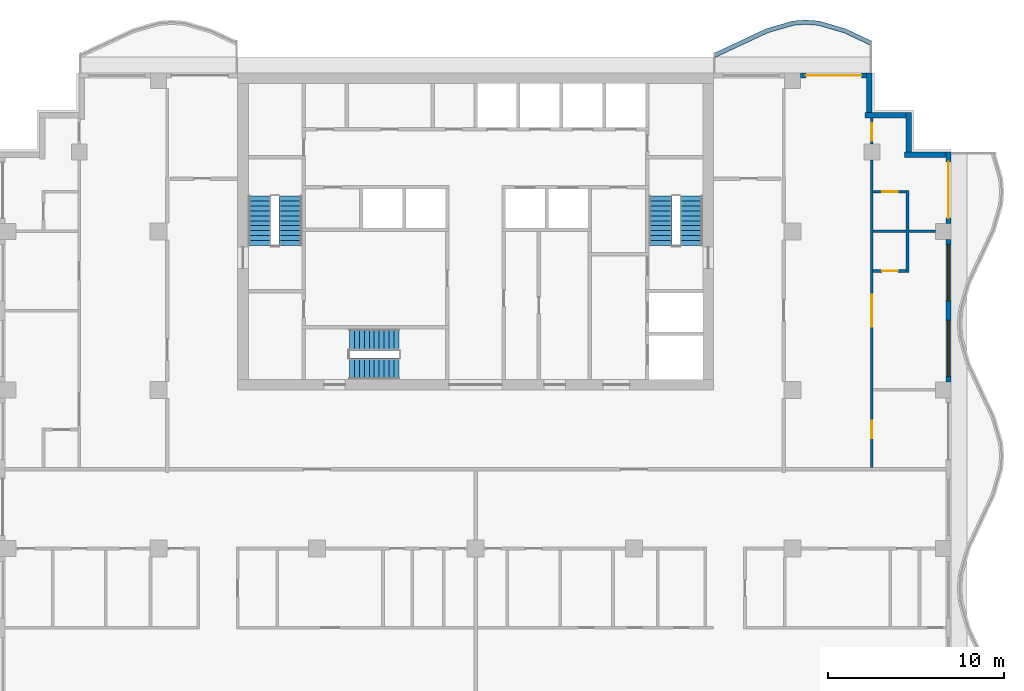
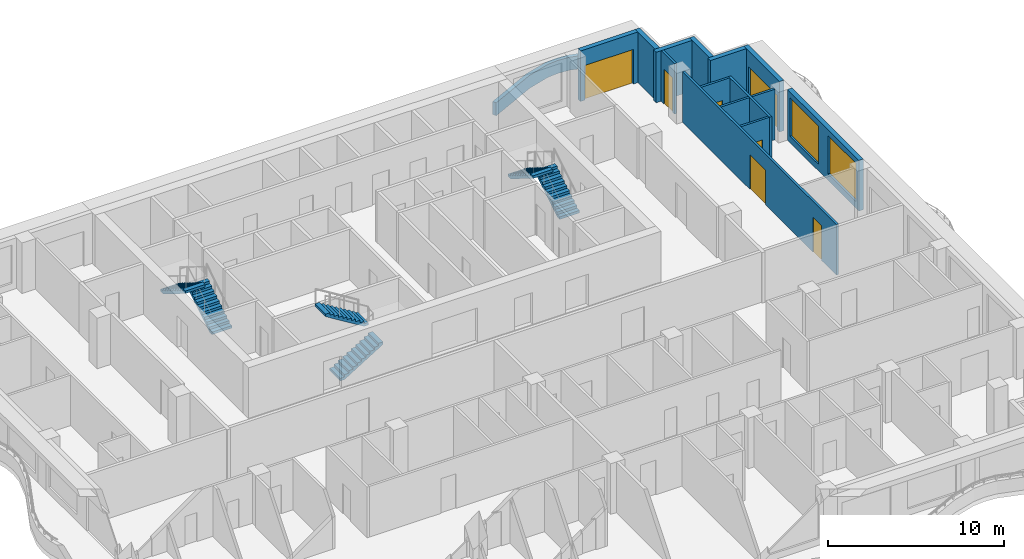
# One storey, part 7 of 11: 15 walls, 7 doors, 6 stair flights, 2 windows, 9 openings, 3 elements without a shape of their own.
"""IFC4 building model written with IfcOpenShell, lengths in metres."""

from ifc_helpers import new_model, si_unit, direction, frame, frame_2d, origin, place, context, subcontext, project, spatial, polyline, rectangle, outline, extrude, material, layer, layer_set, type_object, element, fill, aggregate, save


model = new_model("IFC4")

# Units and contexts
model_context = context("Model", 3, precision=1e-05, world=origin(), true_north=direction((0.0, 1.0)))
body_context = subcontext(model_context, "Body", "Model", "MODEL_VIEW")
ifc_project = project(units=[si_unit("LENGTHUNIT", "METRE"), si_unit("AREAUNIT", "SQUARE_METRE"), si_unit("VOLUMEUNIT", "CUBIC_METRE"), si_unit("PLANEANGLEUNIT", "RADIAN"), si_unit("MASSUNIT", "GRAM", prefix="KILO")], contexts=[model_context])

# Site, building, storey
site_placement = place(None, origin())
site = spatial("IfcSite", under=ifc_project, at=site_placement, CompositionType="ELEMENT")
building_placement = place(site_placement, origin())
building = spatial("IfcBuilding", under=site, at=building_placement, Name="Orbiselva Terraces", CompositionType="ELEMENT")
storey_placement = place(building_placement, frame((0.0, 0.0, 273.0)))
storey = spatial("IfcBuildingStorey", under=building, at=storey_placement, Name="L69", CompositionType="ELEMENT", Elevation=273.0)

# Wall
ifc_material_1 = material(Name="Concrete C40/50", Category="concrete")
ifc_layer_1 = layer(ifc_material_1, 0.25)
ifc_layer_set_1 = layer_set([ifc_layer_1], Name="Concrete C40/50")
wall_type_1 = type_object("IfcWallType", Name="ENV-PLANTER-250x900", PredefinedType="USERDEFINED", material=ifc_layer_set_1)
wall_1_placement = place(storey_placement, origin())
element("IfcWall", 1, at=wall_1_placement, inside=storey, type_object=wall_type_1, Name="Balcony planter L69 NE", ObjectType="PLANTER", PredefinedType="USERDEFINED", context=body_context, shape_type="SweptSolid", body=[
    extrude(outline(polyline([(22.5, 24.3), (21.0, 25.005342), (19.5, 25.441268), (18.75, 25.5), (18.0, 25.441268), (16.5, 25.005342), (15.0, 24.3), (13.5, 23.594658), (13.606383, 23.368422), (15.106383, 24.073764), (16.588618, 24.770753), (18.045114, 25.194035), (18.75, 25.249235), (19.454886, 25.194035), (20.911382, 24.770753), (22.393617, 24.073764), (22.5, 24.3)])), origin(), (0.0, 0.0, 1.0), 0.9),
])

# Wall, openings, windows
ifc_material_2 = material(Name="Terracotta cladding on masonry backing", Category="masonry")
ifc_layer_2 = layer(ifc_material_2, 0.3)
ifc_layer_set_2 = layer_set([ifc_layer_2], Name="Terracotta cladding on masonry backing")
wall_type_2 = type_object("IfcWallType", Name="ENV-WALL-TERRACOTTA-300", PredefinedType="SOLIDWALL", material=ifc_layer_set_2)
wall_2_placement = place(storey_placement, frame((26.85, 13.05, 0.0), z_axis=(0.0, 0.0, 1.0), x_axis=(0.0, -1.0, 0.0)))
wall_2 = element("IfcWall", 2, at=wall_2_placement, inside=storey, type_object=wall_type_2, Name="Facade wall L69 E", PredefinedType="SOLIDWALL", context=body_context, shape_type="SweptSolid", body=[
    extrude(rectangle(XDim=8.1, YDim=0.3, at=frame_2d((4.05, 0.0))), origin(), (0.0, 0.0, 1.0), 3.5),
])
opening_1_placement = place(wall_2_placement, frame((4.6, 0.0, 0.45)))
opening_1 = element("IfcOpeningElement", 3, at=opening_1_placement, cuts=wall_2, Name="Opening WN17", PredefinedType="OPENING", context=body_context, shape_type="SweptSolid", body=[
    extrude(rectangle(XDim=3.2, YDim=2.65, at=frame_2d((1.6, 1.325))), frame((0.0, 0.16, 0.0), z_axis=(0.0, -1.0, 0.0), x_axis=(1.0, 0.0, 0.0)), (0.0, 0.0, 1.0), 0.32),
])
opening_2_placement = place(wall_2_placement, frame((0.3, 0.0, 0.45)))
opening_2 = element("IfcOpeningElement", 4, at=opening_2_placement, cuts=wall_2, Name="Opening WN17", PredefinedType="OPENING", context=body_context, shape_type="SweptSolid", body=[
    extrude(rectangle(XDim=3.2, YDim=2.65, at=frame_2d((1.6, 1.325))), frame((0.0, 0.16, 0.0), z_axis=(0.0, -1.0, 0.0), x_axis=(1.0, 0.0, 0.0)), (0.0, 0.0, 1.0), 0.32),
])
ifc_material_3 = material(Name="Clear low-e glazing in aluminium frame", Category="aluminium")
window_type = type_object("IfcWindowType", Name="WINDOW 3200 X 2650 S450", PartitioningType="TRIPLE_PANEL_VERTICAL", PredefinedType="WINDOW", material=ifc_material_3)
window_1_placement = place(opening_1_placement, origin())
window_1 = element("IfcWindow", 5, at=window_1_placement, inside=storey, type_object=window_type, Name="Window L69 E", OverallHeight=2.65, OverallWidth=3.2, PartitioningType="SINGLE_PANEL", PredefinedType="WINDOW", context=body_context, shape_type="SweptSolid", body=[
    extrude(rectangle(XDim=3.2, YDim=2.65, at=frame_2d((1.6, 1.325))), frame((0.0, 0.03, 0.0), z_axis=(0.0, -1.0, 0.0), x_axis=(1.0, 0.0, 0.0)), (0.0, 0.0, 1.0), 0.06),
])
fill(opening_1, window_1)
window_2_placement = place(opening_2_placement, origin())
window_2 = element("IfcWindow", 6, at=window_2_placement, inside=storey, type_object=window_type, Name="Window L69 E", OverallHeight=2.65, OverallWidth=3.2, PartitioningType="SINGLE_PANEL", PredefinedType="WINDOW", context=body_context, shape_type="SweptSolid", body=[
    extrude(rectangle(XDim=3.2, YDim=2.65, at=frame_2d((1.6, 1.325))), frame((0.0, 0.03, 0.0), z_axis=(0.0, -1.0, 0.0), x_axis=(1.0, 0.0, 0.0)), (0.0, 0.0, 1.0), 0.06),
])
fill(opening_2, window_2)

# Wall, opening, door
wall_3_placement = place(storey_placement, frame((26.85, 18.0, 0.0), z_axis=(0.0, 0.0, 1.0), x_axis=(0.0, -1.0, 0.0)))
wall_3 = element("IfcWall", 7, at=wall_3_placement, inside=storey, type_object=wall_type_2, Name="Facade wall L69 E", PredefinedType="SOLIDWALL", context=body_context, shape_type="SweptSolid", body=[
    extrude(rectangle(XDim=4.05, YDim=0.3, at=frame_2d((2.025, 0.0))), origin(), (0.0, 0.0, 1.0), 3.5),
])
opening_3_placement = place(wall_3_placement, frame((0.55, 0.0, 0.0)))
opening_3 = element("IfcOpeningElement", 8, at=opening_3_placement, cuts=wall_3, Name="Opening Z5-D-E06", PredefinedType="OPENING", context=body_context, shape_type="SweptSolid", body=[
    extrude(rectangle(XDim=3.2, YDim=2.4, at=frame_2d((1.6, 1.2))), frame((0.0, 0.16, 0.0), z_axis=(0.0, -1.0, 0.0), x_axis=(1.0, 0.0, 0.0)), (0.0, 0.0, 1.0), 0.32),
])
door_type_1 = type_object("IfcDoorType", Name="BALCONY DOOR 3200 X 2400", OperationType="DOUBLE_DOOR_SLIDING", PredefinedType="DOOR", material=ifc_material_3)
door_1_placement = place(opening_3_placement, origin())
door_1 = element("IfcDoor", 9, at=door_1_placement, inside=storey, type_object=door_type_1, Name="Z5-D-E06", OperationType="SINGLE_SWING_LEFT", OverallHeight=2.4, OverallWidth=3.2, PredefinedType="DOOR", context=body_context, shape_type="SweptSolid", body=[
    extrude(rectangle(XDim=3.2, YDim=2.4, at=frame_2d((1.6, 1.2))), frame((0.0, 0.025, 0.0), z_axis=(0.0, -1.0, 0.0), x_axis=(1.0, 0.0, 0.0)), (0.0, 0.0, 1.0), 0.05),
])
fill(opening_3, door_1)

# Walls
wall_4_placement = place(storey_placement, frame((24.35, 17.85, 0.0), z_axis=(0.0, 0.0, 1.0), x_axis=(1.0, 0.0, 0.0)))
element("IfcWall", 10, at=wall_4_placement, inside=storey, type_object=wall_type_2, Name="Facade wall L69 STEP", PredefinedType="SOLIDWALL", context=body_context, shape_type="SweptSolid", body=[
    extrude(rectangle(XDim=2.35, YDim=0.3, at=frame_2d((1.175, 0.0))), origin(), (0.0, 0.0, 1.0), 3.5),
])
wall_5_placement = place(storey_placement, frame((24.6, 20.25, 0.0), z_axis=(0.0, 0.0, 1.0), x_axis=(0.0, -1.0, 0.0)))
element("IfcWall", 11, at=wall_5_placement, inside=storey, type_object=wall_type_2, Name="Facade wall L69 STEP", PredefinedType="SOLIDWALL", context=body_context, shape_type="SweptSolid", body=[
    extrude(rectangle(XDim=2.25, YDim=0.3, at=frame_2d((1.125, 0.0))), origin(), (0.0, 0.0, 1.0), 3.5),
])
wall_6_placement = place(storey_placement, frame((22.1, 20.1, 0.0), z_axis=(0.0, 0.0, 1.0), x_axis=(1.0, 0.0, 0.0)))
element("IfcWall", 12, at=wall_6_placement, inside=storey, type_object=wall_type_2, Name="Facade wall L69 STEP", PredefinedType="SOLIDWALL", context=body_context, shape_type="SweptSolid", body=[
    extrude(rectangle(XDim=2.35, YDim=0.3, at=frame_2d((1.175, 0.0))), origin(), (0.0, 0.0, 1.0), 3.5),
])
wall_7_placement = place(storey_placement, frame((22.35, 22.5, 0.0), z_axis=(0.0, 0.0, 1.0), x_axis=(0.0, -1.0, 0.0)))
element("IfcWall", 13, at=wall_7_placement, inside=storey, type_object=wall_type_2, Name="Facade wall L69 STEP", PredefinedType="SOLIDWALL", context=body_context, shape_type="SweptSolid", body=[
    extrude(rectangle(XDim=2.25, YDim=0.3, at=frame_2d((1.125, 0.0))), origin(), (0.0, 0.0, 1.0), 3.5),
])

# Wall, opening, door
wall_8_placement = place(storey_placement, frame((18.45, 22.35, 0.0), z_axis=(0.0, 0.0, 1.0), x_axis=(1.0, 0.0, 0.0)))
wall_8 = element("IfcWall", 14, at=wall_8_placement, inside=storey, type_object=wall_type_2, Name="Facade wall L69 NE", PredefinedType="SOLIDWALL", context=body_context, shape_type="SweptSolid", body=[
    extrude(rectangle(XDim=3.75, YDim=0.3, at=frame_2d((1.875, 0.0))), origin(), (0.0, 0.0, 1.0), 3.5),
])
opening_4_placement = place(wall_8_placement, frame((0.3, 0.0, 0.0)))
opening_4 = element("IfcOpeningElement", 15, at=opening_4_placement, cuts=wall_8, Name="Opening Z5-D-E07", PredefinedType="OPENING", context=body_context, shape_type="SweptSolid", body=[
    extrude(rectangle(XDim=3.15, YDim=2.4, at=frame_2d((1.575, 1.2))), frame((0.0, 0.16, 0.0), z_axis=(0.0, -1.0, 0.0), x_axis=(1.0, 0.0, 0.0)), (0.0, 0.0, 1.0), 0.32),
])
door_type_2 = type_object("IfcDoorType", Name="BALCONY DOOR 3150 X 2400", OperationType="DOUBLE_DOOR_SLIDING", PredefinedType="DOOR", material=ifc_material_3)
door_2_placement = place(opening_4_placement, origin())
door_2 = element("IfcDoor", 16, at=door_2_placement, inside=storey, type_object=door_type_2, Name="Z5-D-E07", OperationType="SINGLE_SWING_LEFT", OverallHeight=2.4, OverallWidth=3.15, PredefinedType="DOOR", context=body_context, shape_type="SweptSolid", body=[
    extrude(rectangle(XDim=3.15, YDim=2.4, at=frame_2d((1.575, 1.2))), frame((0.0, 0.025, 0.0), z_axis=(0.0, -1.0, 0.0), x_axis=(1.0, 0.0, 0.0)), (0.0, 0.0, 1.0), 0.05),
])
fill(opening_4, door_2)

ifc_material_4 = material(Name="Plasterboard on steel stud partition", Category="steel")
ifc_layer_3 = layer(ifc_material_4, 0.15)
ifc_layer_set_3 = layer_set([ifc_layer_3], Name="Plasterboard on steel stud partition")
wall_type_3 = type_object("IfcWallType", Name="UNIT-PARTITION-150", PredefinedType="PARTITIONING", material=ifc_layer_set_3)
wall_9_placement = place(storey_placement, frame((22.575, 11.25, 0.0), z_axis=(0.0, 0.0, 1.0), x_axis=(1.0, 0.0, 0.0)))
wall_9 = element("IfcWall", 17, at=wall_9_placement, inside=storey, type_object=wall_type_3, Name="PARTITION L69-033", PredefinedType="PARTITIONING", context=body_context, shape_type="SweptSolid", body=[
    extrude(rectangle(XDim=1.875, YDim=0.15, at=frame_2d((0.9375, 0.0))), origin(), (0.0, 0.0, 1.0), 3.5),
])
opening_5_placement = place(wall_9_placement, frame((0.5, 0.0, 0.0)))
opening_5 = element("IfcOpeningElement", 18, at=opening_5_placement, cuts=wall_9, Name="Opening Z5-D-12", PredefinedType="OPENING", context=body_context, shape_type="SweptSolid", body=[
    extrude(rectangle(XDim=0.9, YDim=2.1, at=frame_2d((0.45, 1.05))), frame((0.0, 0.085, 0.0), z_axis=(0.0, -1.0, 0.0), x_axis=(1.0, 0.0, 0.0)), (0.0, 0.0, 1.0), 0.17),
])
ifc_material_5 = material(Name="Painted timber door leaf", Category="wood")
door_type_3 = type_object("IfcDoorType", Name="BATH DOOR 900", OperationType="NOTDEFINED", PredefinedType="DOOR", material=ifc_material_5)
door_3_placement = place(opening_5_placement, origin())
door_3 = element("IfcDoor", 19, at=door_3_placement, inside=storey, type_object=door_type_3, Name="Z5-D-12", OperationType="SINGLE_SWING_RIGHT", OverallHeight=2.1, OverallWidth=0.9, PredefinedType="DOOR", context=body_context, shape_type="SweptSolid", body=[
    extrude(rectangle(XDim=0.9, YDim=2.1, at=frame_2d((0.45, 1.05))), frame((0.0, 0.025, 0.0), z_axis=(0.0, -1.0, 0.0), x_axis=(1.0, 0.0, 0.0)), (0.0, 0.0, 1.0), 0.05),
])
fill(opening_5, door_3)

# Walls
wall_10_placement = place(storey_placement, frame((22.575, 13.5, 0.0), z_axis=(0.0, 0.0, 1.0), x_axis=(1.0, 0.0, 0.0)))
element("IfcWall", 20, at=wall_10_placement, inside=storey, type_object=wall_type_3, Name="PARTITION L69-035", PredefinedType="PARTITIONING", context=body_context, shape_type="SweptSolid", body=[
    extrude(rectangle(XDim=1.875, YDim=0.15, at=frame_2d((0.9375, 0.0))), origin(), (0.0, 0.0, 1.0), 3.5),
])
wall_11_placement = place(storey_placement, frame((24.6, 13.5, 0.0), z_axis=(0.0, 0.0, 1.0), x_axis=(1.0, 0.0, 0.0)))
element("IfcWall", 21, at=wall_11_placement, inside=storey, type_object=wall_type_3, Name="PARTITION L69-036", PredefinedType="PARTITIONING", context=body_context, shape_type="SweptSolid", body=[
    extrude(rectangle(XDim=1.5, YDim=0.15, at=frame_2d((0.75, 0.0))), origin(), (0.0, 0.0, 1.0), 3.5),
])

# Wall, opening, door
wall_12_placement = place(storey_placement, frame((24.45, 15.75, 0.0), z_axis=(0.0, 0.0, 1.0), x_axis=(-1.0, 0.0, 0.0)))
wall_12 = element("IfcWall", 22, at=wall_12_placement, inside=storey, type_object=wall_type_3, Name="PARTITION L69-038", PredefinedType="PARTITIONING", context=body_context, shape_type="SweptSolid", body=[
    extrude(rectangle(XDim=1.875, YDim=0.15, at=frame_2d((0.9375, 0.0))), origin(), (0.0, 0.0, 1.0), 3.5),
])
opening_6_placement = place(wall_12_placement, frame((0.475, 0.0, 0.0)))
opening_6 = element("IfcOpeningElement", 23, at=opening_6_placement, cuts=wall_12, Name="Opening Z5-D-14", PredefinedType="OPENING", context=body_context, shape_type="SweptSolid", body=[
    extrude(rectangle(XDim=0.9, YDim=2.1, at=frame_2d((0.45, 1.05))), frame((0.0, 0.085, 0.0), z_axis=(0.0, -1.0, 0.0), x_axis=(1.0, 0.0, 0.0)), (0.0, 0.0, 1.0), 0.17),
])
door_4_placement = place(opening_6_placement, origin())
door_4 = element("IfcDoor", 24, at=door_4_placement, inside=storey, type_object=door_type_3, Name="Z5-D-14", OperationType="SINGLE_SWING_LEFT", OverallHeight=2.1, OverallWidth=0.9, PredefinedType="DOOR", context=body_context, shape_type="SweptSolid", body=[
    extrude(rectangle(XDim=0.9, YDim=2.1, at=frame_2d((0.45, 1.05))), frame((0.0, 0.025, 0.0), z_axis=(0.0, -1.0, 0.0), x_axis=(1.0, 0.0, 0.0)), (0.0, 0.0, 1.0), 0.05),
])
fill(opening_6, door_4)

# Wall, openings, doors
wall_13_placement = place(storey_placement, frame((22.5, 17.55, 0.0), z_axis=(0.0, 0.0, 1.0), x_axis=(0.0, -1.0, 0.0)))
wall_13 = element("IfcWall", 25, at=wall_13_placement, inside=storey, type_object=wall_type_3, Name="PARTITION L69-088", PredefinedType="PARTITIONING", context=body_context, shape_type="SweptSolid", body=[
    extrude(rectangle(XDim=17.45, YDim=0.15, at=frame_2d((8.725, 0.0))), origin(), (0.0, 0.0, 1.0), 3.5),
])
opening_7_placement = place(wall_13_placement, frame((14.8, 0.0, 0.0)))
opening_7 = element("IfcOpeningElement", 26, at=opening_7_placement, cuts=wall_13, Name="Opening Z5-D-10", PredefinedType="OPENING", context=body_context, shape_type="SweptSolid", body=[
    extrude(rectangle(XDim=1.0, YDim=2.4, at=frame_2d((0.5, 1.2))), frame((0.0, 0.085, 0.0), z_axis=(0.0, -1.0, 0.0), x_axis=(1.0, 0.0, 0.0)), (0.0, 0.0, 1.0), 0.17),
])
opening_8_placement = place(wall_13_placement, frame((7.65, 0.0, 0.0)))
opening_8 = element("IfcOpeningElement", 27, at=opening_8_placement, cuts=wall_13, Name="Opening Z5-D-11", PredefinedType="OPENING", context=body_context, shape_type="SweptSolid", body=[
    extrude(rectangle(XDim=1.8, YDim=2.4, at=frame_2d((0.9, 1.2))), frame((0.0, 0.085, 0.0), z_axis=(0.0, -1.0, 0.0), x_axis=(1.0, 0.0, 0.0)), (0.0, 0.0, 1.0), 0.17),
])
door_type_4 = type_object("IfcDoorType", Name="DOUBLE DOOR 1800", OperationType="NOTDEFINED", PredefinedType="DOOR", material=ifc_material_5)
door_5_placement = place(opening_8_placement, origin())
door_5 = element("IfcDoor", 28, at=door_5_placement, inside=storey, type_object=door_type_4, Name="Z5-D-11", OperationType="DOUBLE_DOOR_SINGLE_SWING", OverallHeight=2.4, OverallWidth=1.8, PredefinedType="DOOR", context=body_context, shape_type="SweptSolid", body=[
    extrude(rectangle(XDim=1.8, YDim=2.4, at=frame_2d((0.9, 1.2))), frame((0.0, 0.025, 0.0), z_axis=(0.0, -1.0, 0.0), x_axis=(1.0, 0.0, 0.0)), (0.0, 0.0, 1.0), 0.05),
])
fill(opening_8, door_5)
door_type_5 = type_object("IfcDoorType", Name="ROOM DOOR 1000", OperationType="NOTDEFINED", PredefinedType="DOOR", material=ifc_material_5)
door_6_placement = place(opening_7_placement, origin())
door_6 = element("IfcDoor", 29, at=door_6_placement, inside=storey, type_object=door_type_5, Name="Z5-D-10", OperationType="SINGLE_SWING_RIGHT", OverallHeight=2.4, OverallWidth=1.0, PredefinedType="DOOR", context=body_context, shape_type="SweptSolid", body=[
    extrude(rectangle(XDim=1.0, YDim=2.4, at=frame_2d((0.5, 1.2))), frame((0.0, 0.025, 0.0), z_axis=(0.0, -1.0, 0.0), x_axis=(1.0, 0.0, 0.0)), (0.0, 0.0, 1.0), 0.05),
])
fill(opening_7, door_6)

# Wall, opening, door
wall_14_placement = place(storey_placement, frame((22.5, 19.95, 0.0), z_axis=(0.0, 0.0, 1.0), x_axis=(0.0, -1.0, 0.0)))
wall_14 = element("IfcWall", 30, at=wall_14_placement, inside=storey, type_object=wall_type_3, Name="PARTITION L69-089", PredefinedType="PARTITIONING", context=body_context, shape_type="SweptSolid", body=[
    extrude(rectangle(XDim=1.5, YDim=0.15, at=frame_2d((0.75, 0.0))), origin(), (0.0, 0.0, 1.0), 3.5),
])
opening_9_placement = place(wall_14_placement, frame((0.3, 0.0, 0.0)))
opening_9 = element("IfcOpeningElement", 31, at=opening_9_placement, cuts=wall_14, Name="Opening Z5-D-13", PredefinedType="OPENING", context=body_context, shape_type="SweptSolid", body=[
    extrude(rectangle(XDim=1.0, YDim=2.4, at=frame_2d((0.5, 1.2))), frame((0.0, 0.085, 0.0), z_axis=(0.0, -1.0, 0.0), x_axis=(1.0, 0.0, 0.0)), (0.0, 0.0, 1.0), 0.17),
])
door_7_placement = place(opening_9_placement, origin())
door_7 = element("IfcDoor", 32, at=door_7_placement, inside=storey, type_object=door_type_5, Name="Z5-D-13", OperationType="SINGLE_SWING_RIGHT", OverallHeight=2.4, OverallWidth=1.0, PredefinedType="DOOR", context=body_context, shape_type="SweptSolid", body=[
    extrude(rectangle(XDim=1.0, YDim=2.4, at=frame_2d((0.5, 1.2))), frame((0.0, 0.025, 0.0), z_axis=(0.0, -1.0, 0.0), x_axis=(1.0, 0.0, 0.0)), (0.0, 0.0, 1.0), 0.05),
])
fill(opening_9, door_7)

# Wall
wall_15_placement = place(storey_placement, frame((24.525, 11.175, 0.0), z_axis=(0.0, 0.0, 1.0), x_axis=(0.0, 1.0, 0.0)))
element("IfcWall", 33, at=wall_15_placement, inside=storey, type_object=wall_type_3, Name="PARTITION L69-091", PredefinedType="PARTITIONING", context=body_context, shape_type="SweptSolid", body=[
    extrude(rectangle(XDim=4.65, YDim=0.15, at=frame_2d((2.325, 0.0))), origin(), (0.0, 0.0, 1.0), 3.5),
])

# Stair, stair flights
stair_type_1 = type_object("IfcStairType", Name="CORE-STAIR-1200", PredefinedType="HALF_TURN_STAIR", material=ifc_material_1)
stair_1_placement = place(storey_placement, origin())
stair_1 = element("IfcStair", 34, at=stair_1_placement, inside=storey, type_object=stair_type_1, Name="L69 Exit Stair S3", PredefinedType="HALF_TURN_STAIR")
stair_flight_type_1 = type_object("IfcStairFlightType", Name="CORE-STAIR-FLIGHT-1200", PredefinedType="STRAIGHT", material=ifc_material_1)
stair_flight_1_placement = place(storey_placement, frame((-7.15, 5.7, 0.0), z_axis=(0.0, 0.0, 1.0), x_axis=(1.0, 0.0, 0.0)))
stair_flight_1 = element("IfcStairFlight", 35, at=stair_flight_1_placement, type_object=stair_flight_type_1, Name="S3 flight 1", NumberOfRisers=11, NumberOfTreads=10, PredefinedType="STRAIGHT", RiserHeight=0.172727273, TreadLength=0.28, context=body_context, shape_type="SweptSolid", body=[
    extrude(outline(polyline([(0.0, 0.0), (0.0, 0.172727), (0.28, 0.172727), (0.28, 0.345455), (0.56, 0.345455), (0.56, 0.518182), (0.84, 0.518182), (0.84, 0.690909), (1.12, 0.690909), (1.12, 0.863636), (1.4, 0.863636), (1.4, 1.036364), (1.68, 1.036364), (1.68, 1.209091), (1.96, 1.209091), (1.96, 1.381818), (2.24, 1.381818), (2.24, 1.554545), (2.52, 1.554545), (2.52, 1.727273), (2.8, 1.727273), (2.8, 1.9), (2.8, 1.551028), (0.285702, 0.0), (0.0, 0.0)])), frame((0.0, 0.6, 0.0), z_axis=(0.0, -1.0, 0.0), x_axis=(1.0, 0.0, 0.0)), (0.0, 0.0, 1.0), 1.2),
])
stair_flight_2_placement = place(storey_placement, frame((-4.35, 7.35, 1.9), z_axis=(0.0, 0.0, 1.0), x_axis=(-1.0, 0.0, 0.0)))
stair_flight_2 = element("IfcStairFlight", 36, at=stair_flight_2_placement, type_object=stair_flight_type_1, Name="S3 flight 2", NumberOfRisers=11, NumberOfTreads=10, PredefinedType="STRAIGHT", RiserHeight=0.172727273, TreadLength=0.28, context=body_context, shape_type="SweptSolid", body=[
    extrude(outline(polyline([(0.0, 0.0), (0.0, 0.172727), (0.28, 0.172727), (0.28, 0.345455), (0.56, 0.345455), (0.56, 0.518182), (0.84, 0.518182), (0.84, 0.690909), (1.12, 0.690909), (1.12, 0.863636), (1.4, 0.863636), (1.4, 1.036364), (1.68, 1.036364), (1.68, 1.209091), (1.96, 1.209091), (1.96, 1.381818), (2.24, 1.381818), (2.24, 1.554545), (2.52, 1.554545), (2.52, 1.727273), (2.8, 1.727273), (2.8, 1.9), (2.8, 1.551028), (0.285702, 0.0), (0.0, 0.0)])), frame((0.0, 0.6, 0.0), z_axis=(0.0, -1.0, 0.0), x_axis=(1.0, 0.0, 0.0)), (0.0, 0.0, 1.0), 1.2),
])
aggregate(stair_1, [stair_flight_1, stair_flight_2])

stair_type_2 = type_object("IfcStairType", Name="CORE-STAIR-1300", PredefinedType="HALF_TURN_STAIR", material=ifc_material_1)
stair_2_placement = place(storey_placement, origin())
stair_2 = element("IfcStair", 37, at=stair_2_placement, inside=storey, type_object=stair_type_2, Name="L69 Exit Stair S1", PredefinedType="HALF_TURN_STAIR")
stair_flight_type_2 = type_object("IfcStairFlightType", Name="CORE-STAIR-FLIGHT-1300", PredefinedType="STRAIGHT", material=ifc_material_1)
stair_flight_3_placement = place(storey_placement, frame((-10.5, 12.7, 0.0), z_axis=(0.0, 0.0, 1.0), x_axis=(0.0, 1.0, 0.0)))
stair_flight_3 = element("IfcStairFlight", 38, at=stair_flight_3_placement, type_object=stair_flight_type_2, Name="S1 flight 1", NumberOfRisers=11, NumberOfTreads=10, PredefinedType="STRAIGHT", RiserHeight=0.172727273, TreadLength=0.28, context=body_context, shape_type="SweptSolid", body=[
    extrude(outline(polyline([(0.0, 0.0), (0.0, 0.172727), (0.28, 0.172727), (0.28, 0.345455), (0.56, 0.345455), (0.56, 0.518182), (0.84, 0.518182), (0.84, 0.690909), (1.12, 0.690909), (1.12, 0.863636), (1.4, 0.863636), (1.4, 1.036364), (1.68, 1.036364), (1.68, 1.209091), (1.96, 1.209091), (1.96, 1.381818), (2.24, 1.381818), (2.24, 1.554545), (2.52, 1.554545), (2.52, 1.727273), (2.8, 1.727273), (2.8, 1.9), (2.8, 1.551028), (0.285702, 0.0), (0.0, 0.0)])), frame((0.0, 0.65, 0.0), z_axis=(0.0, -1.0, 0.0), x_axis=(1.0, 0.0, 0.0)), (0.0, 0.0, 1.0), 1.3),
])
stair_flight_4_placement = place(storey_placement, frame((-12.25, 15.5, 1.9), z_axis=(0.0, 0.0, 1.0), x_axis=(0.0, -1.0, 0.0)))
stair_flight_4 = element("IfcStairFlight", 39, at=stair_flight_4_placement, type_object=stair_flight_type_2, Name="S1 flight 2", NumberOfRisers=11, NumberOfTreads=10, PredefinedType="STRAIGHT", RiserHeight=0.172727273, TreadLength=0.28, context=body_context, shape_type="SweptSolid", body=[
    extrude(outline(polyline([(0.0, 0.0), (0.0, 0.172727), (0.28, 0.172727), (0.28, 0.345455), (0.56, 0.345455), (0.56, 0.518182), (0.84, 0.518182), (0.84, 0.690909), (1.12, 0.690909), (1.12, 0.863636), (1.4, 0.863636), (1.4, 1.036364), (1.68, 1.036364), (1.68, 1.209091), (1.96, 1.209091), (1.96, 1.381818), (2.24, 1.381818), (2.24, 1.554545), (2.52, 1.554545), (2.52, 1.727273), (2.8, 1.727273), (2.8, 1.9), (2.8, 1.551028), (0.285702, 0.0), (0.0, 0.0)])), frame((0.0, 0.65, 0.0), z_axis=(0.0, -1.0, 0.0), x_axis=(1.0, 0.0, 0.0)), (0.0, 0.0, 1.0), 1.3),
])
aggregate(stair_2, [stair_flight_3, stair_flight_4])

stair_3_placement = place(storey_placement, origin())
stair_3 = element("IfcStair", 40, at=stair_3_placement, inside=storey, type_object=stair_type_2, Name="L69 Exit Stair S2", PredefinedType="HALF_TURN_STAIR")
stair_flight_5_placement = place(storey_placement, frame((12.25, 12.7, 0.0), z_axis=(0.0, 0.0, 1.0), x_axis=(0.0, 1.0, 0.0)))
stair_flight_5 = element("IfcStairFlight", 41, at=stair_flight_5_placement, type_object=stair_flight_type_2, Name="S2 flight 1", NumberOfRisers=11, NumberOfTreads=10, PredefinedType="STRAIGHT", RiserHeight=0.172727273, TreadLength=0.28, context=body_context, shape_type="SweptSolid", body=[
    extrude(outline(polyline([(0.0, 0.0), (0.0, 0.172727), (0.28, 0.172727), (0.28, 0.345455), (0.56, 0.345455), (0.56, 0.518182), (0.84, 0.518182), (0.84, 0.690909), (1.12, 0.690909), (1.12, 0.863636), (1.4, 0.863636), (1.4, 1.036364), (1.68, 1.036364), (1.68, 1.209091), (1.96, 1.209091), (1.96, 1.381818), (2.24, 1.381818), (2.24, 1.554545), (2.52, 1.554545), (2.52, 1.727273), (2.8, 1.727273), (2.8, 1.9), (2.8, 1.551028), (0.285702, 0.0), (0.0, 0.0)])), frame((0.0, 0.65, 0.0), z_axis=(0.0, -1.0, 0.0), x_axis=(1.0, 0.0, 0.0)), (0.0, 0.0, 1.0), 1.3),
])
stair_flight_6_placement = place(storey_placement, frame((10.5, 15.5, 1.9), z_axis=(0.0, 0.0, 1.0), x_axis=(0.0, -1.0, 0.0)))
stair_flight_6 = element("IfcStairFlight", 42, at=stair_flight_6_placement, type_object=stair_flight_type_2, Name="S2 flight 2", NumberOfRisers=11, NumberOfTreads=10, PredefinedType="STRAIGHT", RiserHeight=0.172727273, TreadLength=0.28, context=body_context, shape_type="SweptSolid", body=[
    extrude(outline(polyline([(0.0, 0.0), (0.0, 0.172727), (0.28, 0.172727), (0.28, 0.345455), (0.56, 0.345455), (0.56, 0.518182), (0.84, 0.518182), (0.84, 0.690909), (1.12, 0.690909), (1.12, 0.863636), (1.4, 0.863636), (1.4, 1.036364), (1.68, 1.036364), (1.68, 1.209091), (1.96, 1.209091), (1.96, 1.381818), (2.24, 1.381818), (2.24, 1.554545), (2.52, 1.554545), (2.52, 1.727273), (2.8, 1.727273), (2.8, 1.9), (2.8, 1.551028), (0.285702, 0.0), (0.0, 0.0)])), frame((0.0, 0.65, 0.0), z_axis=(0.0, -1.0, 0.0), x_axis=(1.0, 0.0, 0.0)), (0.0, 0.0, 1.0), 1.3),
])
aggregate(stair_3, [stair_flight_5, stair_flight_6])

save(model, "model.ifc")
